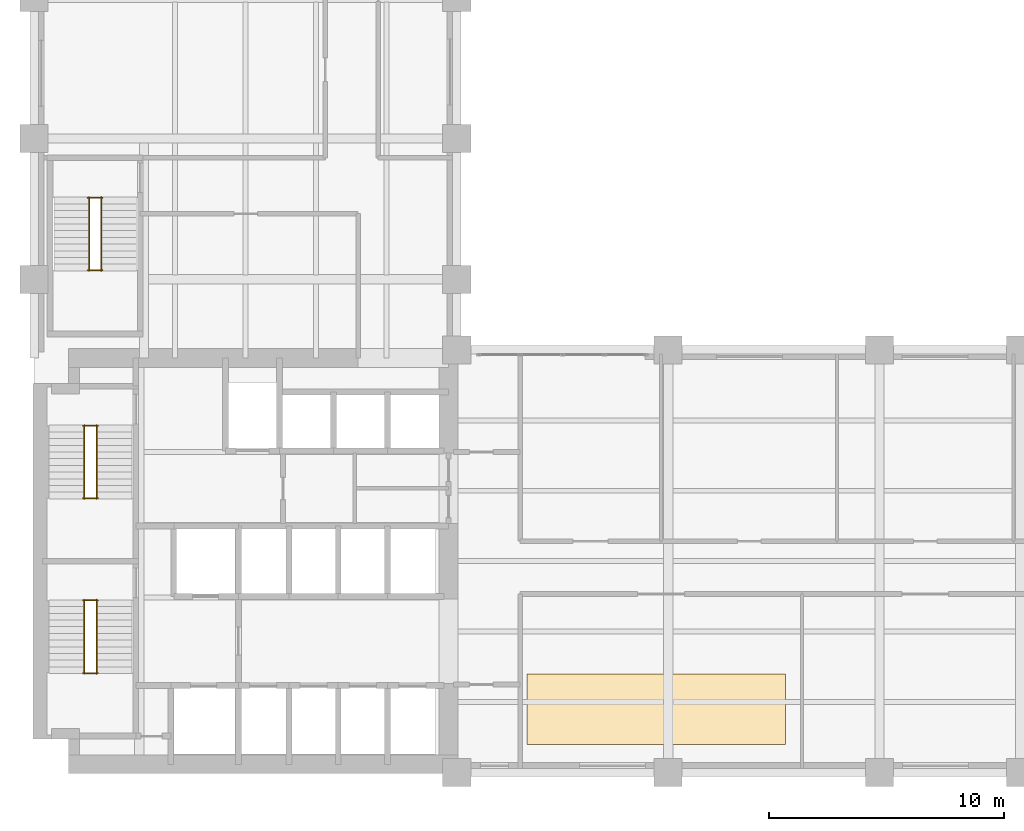
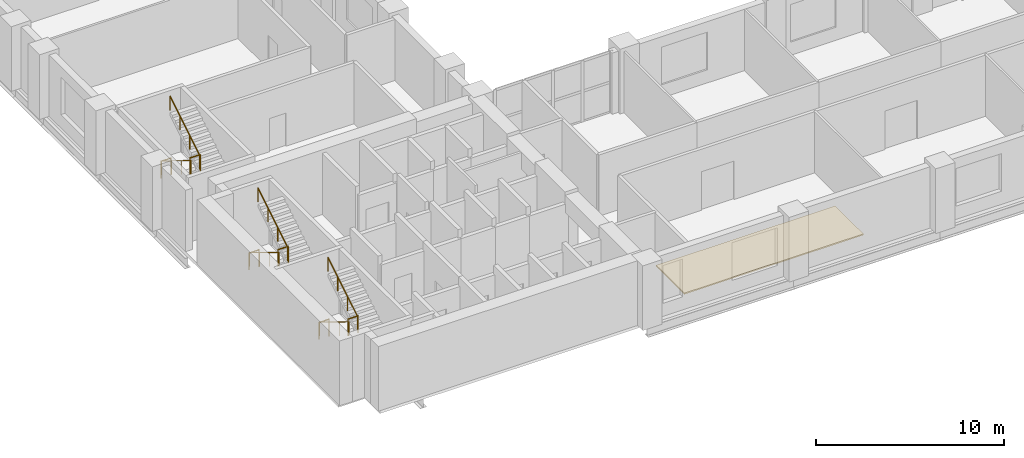
# One storey, part 9 of 9: 12 railings, 1 covering.
"""IFC4 building model written with IfcOpenShell, lengths in metres."""

from ifc_helpers import new_model, si_unit, direction, frame, origin, origin_2d, place, context, subcontext, project, spatial, polyline, circle, outline, extrude, material, layer, layer_set, type_object, element, save


model = new_model("IFC4")

# Units and contexts
model_context = context("Model", 3, precision=1e-05, world=origin(), true_north=direction((0.0, 1.0)))
body_context = subcontext(model_context, "Body", "Model", "MODEL_VIEW")
ifc_project = project(units=[si_unit("LENGTHUNIT", "METRE"), si_unit("AREAUNIT", "SQUARE_METRE"), si_unit("VOLUMEUNIT", "CUBIC_METRE"), si_unit("PLANEANGLEUNIT", "RADIAN"), si_unit("MASSUNIT", "GRAM", prefix="KILO")], contexts=[model_context])

# Site, building, storey
site_placement = place(None, origin())
site = spatial("IfcSite", under=ifc_project, at=site_placement, CompositionType="ELEMENT")
building_placement = place(site_placement, origin())
building = spatial("IfcBuilding", under=site, at=building_placement, Name="Mawjdan Bourse Tower", CompositionType="ELEMENT")
storey_placement = place(building_placement, frame((0.0, 0.0, 51.0)))
storey = spatial("IfcBuildingStorey", under=building, at=storey_placement, Name="L11", CompositionType="ELEMENT", Elevation=51.0)

# Covering
ifc_material_1 = material(Name="Calcium Sulphate Antistatic Raised Floor Tile")
ifc_layer = layer(ifc_material_1, 0.080078125)
ifc_layer_set = layer_set([ifc_layer], Name="Calcium Sulphate Antistatic Raised Floor Tile")
covering_type = type_object("IfcCoveringType", Name="COV-FLR-450", PredefinedType="FLOORING", material=ifc_layer_set)
covering_placement = place(storey_placement, origin())
element("IfcCovering", 1, at=covering_placement, inside=storey, type_object=covering_type, Name="L11 Antistatic Raised Access Trading Floor", PredefinedType="FLOORING", context=body_context, shape_type="SweptSolid", body=[
    extrude(outline(polyline([(27.0, 4.199951171875), (38.0, 4.199951171875), (38.0, 7.199951171875), (27.0, 7.199951171875), (27.0, 4.199951171875)])), origin(), (0.0, 0.0, 1.0), 0.080078125),
])

# Railings
ifc_material_2 = material(Name="Structural Steel S355", Category="steel")
railing_type_1 = type_object("IfcRailingType", Name="RLG-GRD-1100", PredefinedType="GUARDRAIL", material=ifc_material_2)
for number, where, name in (
    (2, (8.090087890625, 7.235107421875, 2.10009765625), "L11 ST1 Landing Guardrail GL-MID"),
    (3, (8.090087890625, 10.330078125, 0.0), "L11 ST1 Landing Guardrail GL-BOT"),
    (4, (8.090087890625, 14.675048828125, 2.10009765625), "L11 ST2 Landing Guardrail GL-MID"),
    (5, (8.090087890625, 17.77001953125, 0.0), "L11 ST2 Landing Guardrail GL-BOT"),
    (6, (8.2900390625, 24.385009765625, 2.10009765625), "L11 ST3 Landing Guardrail GL-MID"),
    (7, (8.2900390625, 27.47998046875, 0.0), "L11 ST3 Landing Guardrail GL-BOT"),
):
    element("IfcRailing", number, at=place(storey_placement, frame(where)), inside=storey, type_object=railing_type_1, Name=name, PredefinedType="GUARDRAIL", context=body_context, shape_type="SweptSolid", body=[
        extrude(circle(Radius=0.02490234375, at=origin_2d()), frame((0.0, 0.0, 1.0751953125), z_axis=(1.0, 0.0, 0.0), x_axis=(0.0, 1.0, 0.0)), (0.0, 0.0, 1.0), 0.619873046875),
        extrude(circle(Radius=0.02099609375, at=origin_2d()), origin(), (0.0, 0.0, 1.0), 1.050048828125),
        extrude(circle(Radius=0.02099609375, at=origin_2d()), frame((0.619873046875, 0.0, 0.0)), (0.0, 0.0, 1.0), 1.050048828125),
    ])
ifc_material_3 = material(Name="Brushed Stainless Steel", Category="steel")
railing_type_2 = type_object("IfcRailingType", Name="RLG-HND-920", PredefinedType="HANDRAIL", material=ifc_material_3)
railing_1_placement = place(storey_placement, frame((8.139892578125, 10.35009765625, 0.175048828125)))
element("IfcRailing", 8, at=railing_1_placement, inside=storey, type_object=railing_type_2, Name="L11 ST1 Flight Handrail HR1", PredefinedType="HANDRAIL", context=body_context, shape_type="SweptSolid", body=[
    extrude(circle(Radius=0.0224609375, at=origin_2d()), frame((0.0, 0.0, 0.8974609375), z_axis=(0.0, -0.852166034122, 0.523271488128), x_axis=(1.0, 0.0, 0.0)), (0.0, 0.0, 1.0), 3.678955078125),
    extrude(circle(Radius=0.01904296875, at=origin_2d()), origin(), (0.0, 0.0, 1.0), 0.875),
    extrude(circle(Radius=0.01904296875, at=origin_2d()), frame((0.0, -1.044921875, 0.6416015625)), (0.0, 0.0, 1.0), 0.875),
    extrude(circle(Radius=0.01904296875, at=origin_2d()), frame((0.0, -2.090087890625, 1.283447265625)), (0.0, 0.0, 1.0), 0.875),
    extrude(circle(Radius=0.01904296875, at=origin_2d()), frame((0.0, -3.135009765625, 1.925048828125)), (0.0, 0.0, 1.0), 0.875),
])
railing_2_placement = place(storey_placement, frame((8.659912109375, 7.215087890625, 2.27490234375)))
element("IfcRailing", 9, at=railing_2_placement, inside=storey, type_object=railing_type_2, Name="L11 ST1 Flight Handrail HR2", PredefinedType="HANDRAIL", context=body_context, shape_type="SweptSolid", body=[
    extrude(circle(Radius=0.0224609375, at=origin_2d()), frame((0.0, 0.0, 0.8974609375), z_axis=(0.0, 0.852166034122, 0.523271488128), x_axis=(-1.0, 0.0, 0.0)), (0.0, 0.0, 1.0), 3.678955078125),
    extrude(circle(Radius=0.01904296875, at=origin_2d()), origin(), (0.0, 0.0, 1.0), 0.875),
    extrude(circle(Radius=0.01904296875, at=origin_2d()), frame((0.0, 1.044921875, 0.6416015625)), (0.0, 0.0, 1.0), 0.875),
    extrude(circle(Radius=0.01904296875, at=origin_2d()), frame((0.0, 2.090087890625, 1.283447265625)), (0.0, 0.0, 1.0), 0.875),
    extrude(circle(Radius=0.01904296875, at=origin_2d()), frame((0.0, 3.135009765625, 1.925048828125)), (0.0, 0.0, 1.0), 0.875),
])
railing_3_placement = place(storey_placement, frame((8.139892578125, 17.7900390625, 0.175048828125)))
element("IfcRailing", 10, at=railing_3_placement, inside=storey, type_object=railing_type_2, Name="L11 ST2 Flight Handrail HR1", PredefinedType="HANDRAIL", context=body_context, shape_type="SweptSolid", body=[
    extrude(circle(Radius=0.0224609375, at=origin_2d()), frame((0.0, 0.0, 0.8974609375), z_axis=(0.0, -0.852166034122, 0.523271488128), x_axis=(1.0, 0.0, 0.0)), (0.0, 0.0, 1.0), 3.678955078125),
    extrude(circle(Radius=0.01904296875, at=origin_2d()), origin(), (0.0, 0.0, 1.0), 0.875),
    extrude(circle(Radius=0.01904296875, at=origin_2d()), frame((0.0, -1.044921875, 0.6416015625)), (0.0, 0.0, 1.0), 0.875),
    extrude(circle(Radius=0.01904296875, at=origin_2d()), frame((0.0, -2.090087890625, 1.283447265625)), (0.0, 0.0, 1.0), 0.875),
    extrude(circle(Radius=0.01904296875, at=origin_2d()), frame((0.0, -3.135009765625, 1.925048828125)), (0.0, 0.0, 1.0), 0.875),
])
railing_4_placement = place(storey_placement, frame((8.659912109375, 14.655029296875, 2.27490234375)))
element("IfcRailing", 11, at=railing_4_placement, inside=storey, type_object=railing_type_2, Name="L11 ST2 Flight Handrail HR2", PredefinedType="HANDRAIL", context=body_context, shape_type="SweptSolid", body=[
    extrude(circle(Radius=0.0224609375, at=origin_2d()), frame((0.0, 0.0, 0.8974609375), z_axis=(0.0, 0.852166034122, 0.523271488128), x_axis=(-1.0, 0.0, 0.0)), (0.0, 0.0, 1.0), 3.678955078125),
    extrude(circle(Radius=0.01904296875, at=origin_2d()), origin(), (0.0, 0.0, 1.0), 0.875),
    extrude(circle(Radius=0.01904296875, at=origin_2d()), frame((0.0, 1.044921875, 0.6416015625)), (0.0, 0.0, 1.0), 0.875),
    extrude(circle(Radius=0.01904296875, at=origin_2d()), frame((0.0, 2.090087890625, 1.283447265625)), (0.0, 0.0, 1.0), 0.875),
    extrude(circle(Radius=0.01904296875, at=origin_2d()), frame((0.0, 3.135009765625, 1.925048828125)), (0.0, 0.0, 1.0), 0.875),
])
railing_5_placement = place(storey_placement, frame((8.340087890625, 27.5, 0.175048828125)))
element("IfcRailing", 12, at=railing_5_placement, inside=storey, type_object=railing_type_2, Name="L11 ST3 Flight Handrail HR1", PredefinedType="HANDRAIL", context=body_context, shape_type="SweptSolid", body=[
    extrude(circle(Radius=0.0224609375, at=origin_2d()), frame((0.0, 0.0, 0.8974609375), z_axis=(0.0, -0.852166034122, 0.523271488128), x_axis=(1.0, 0.0, 0.0)), (0.0, 0.0, 1.0), 3.678955078125),
    extrude(circle(Radius=0.01904296875, at=origin_2d()), origin(), (0.0, 0.0, 1.0), 0.875),
    extrude(circle(Radius=0.01904296875, at=origin_2d()), frame((0.0, -1.044921875, 0.6416015625)), (0.0, 0.0, 1.0), 0.875),
    extrude(circle(Radius=0.01904296875, at=origin_2d()), frame((0.0, -2.090087890625, 1.283447265625)), (0.0, 0.0, 1.0), 0.875),
    extrude(circle(Radius=0.01904296875, at=origin_2d()), frame((0.0, -3.135009765625, 1.925048828125)), (0.0, 0.0, 1.0), 0.875),
])
railing_6_placement = place(storey_placement, frame((8.860107421875, 24.364990234375, 2.27490234375)))
element("IfcRailing", 13, at=railing_6_placement, inside=storey, type_object=railing_type_2, Name="L11 ST3 Flight Handrail HR2", PredefinedType="HANDRAIL", context=body_context, shape_type="SweptSolid", body=[
    extrude(circle(Radius=0.0224609375, at=origin_2d()), frame((0.0, 0.0, 0.8974609375), z_axis=(0.0, 0.852166034122, 0.523271488128), x_axis=(-1.0, 0.0, 0.0)), (0.0, 0.0, 1.0), 3.678955078125),
    extrude(circle(Radius=0.01904296875, at=origin_2d()), origin(), (0.0, 0.0, 1.0), 0.875),
    extrude(circle(Radius=0.01904296875, at=origin_2d()), frame((0.0, 1.044921875, 0.6416015625)), (0.0, 0.0, 1.0), 0.875),
    extrude(circle(Radius=0.01904296875, at=origin_2d()), frame((0.0, 2.090087890625, 1.283447265625)), (0.0, 0.0, 1.0), 0.875),
    extrude(circle(Radius=0.01904296875, at=origin_2d()), frame((0.0, 3.135009765625, 1.925048828125)), (0.0, 0.0, 1.0), 0.875),
])

save(model, "model.ifc")
